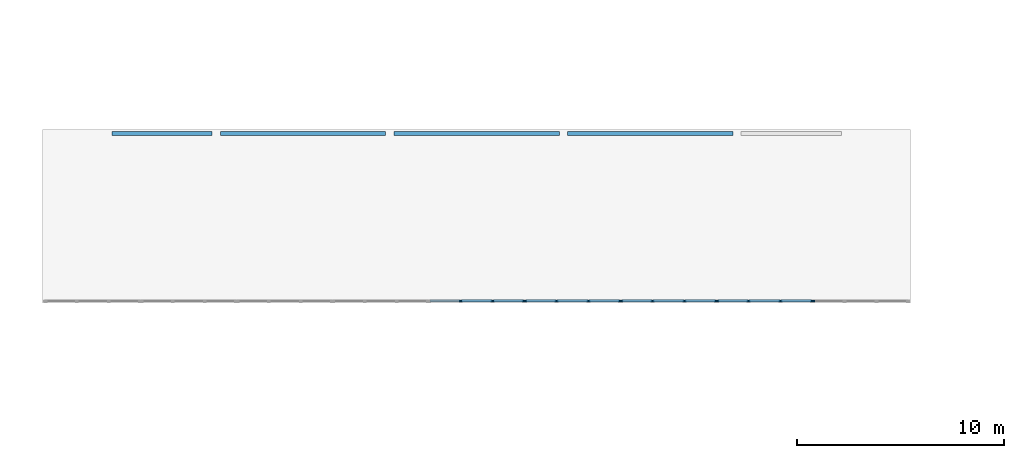
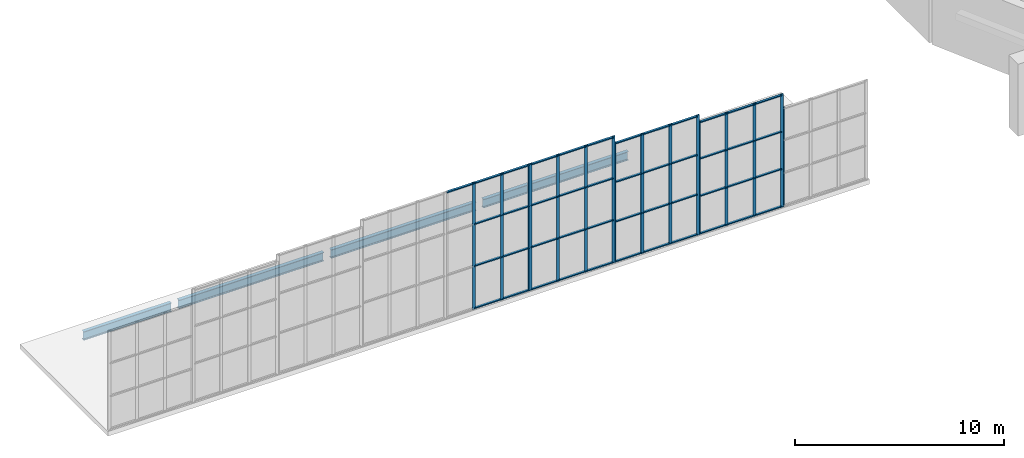
# One storey, part 36 of 100: 61 members, 4 beams, 5 elements without a shape of their own.
"""IFC4 building model written with IfcOpenShell, lengths in metres."""

from ifc_helpers import new_model, si_unit, direction, frame, origin, origin_2d, place, context, subcontext, project, spatial, rectangle, i_section, extrude, material, material_profile, profile_set, type_object, element, aggregate, save


model = new_model("IFC4")

# Units and contexts
model_context = context("Model", 3, precision=1e-05, world=origin(), true_north=direction((0.0, 1.0)))
body_context = subcontext(model_context, "Body", "Model", "MODEL_VIEW")
ifc_project = project(units=[si_unit("LENGTHUNIT", "METRE"), si_unit("AREAUNIT", "SQUARE_METRE"), si_unit("VOLUMEUNIT", "CUBIC_METRE"), si_unit("PLANEANGLEUNIT", "RADIAN"), si_unit("MASSUNIT", "GRAM", prefix="KILO")], contexts=[model_context])

# Site, building, storey
site_placement = place(None, origin())
site = spatial("IfcSite", under=ifc_project, at=site_placement, CompositionType="ELEMENT")
building_placement = place(site_placement, origin())
building = spatial("IfcBuilding", under=site, at=building_placement, Name="Cresset Court Congress Hotel", CompositionType="ELEMENT")
storey_placement = place(building_placement, frame((0.0, 0.0, 10.199951171875)))
storey = spatial("IfcBuildingStorey", under=building, at=storey_placement, Name="L02", CompositionType="ELEMENT", Elevation=10.199951171875)

# Curtain wall, members
ifc_material_1 = material(Name="Aluminium frame with insulated glass", Category="aluminium")
curtain_wall_type = type_object("IfcCurtainWallType", Name="Curtain wall module 1500", PredefinedType="NOTDEFINED", material=ifc_material_1)
curtain_wall_1_placement = place(storey_placement, origin())
curtain_wall_1 = element("IfcCurtainWall", 1, at=curtain_wall_1_placement, inside=storey, type_object=curtain_wall_type, Name="Curtain wall G5", PredefinedType="NOTDEFINED")
ifc_material_2 = material(Name="Aluminium", Category="aluminium")
ifc_material_profile_1 = material_profile(ifc_material_2, rectangle(XDim=0.1201171875, YDim=0.06005859375, at=origin_2d()), Name="AL 120x60")
ifc_profile_set_1 = profile_set([ifc_material_profile_1], Name="Aluminium")
member_type_1 = type_object("IfcMemberType", Name="CW transom RECT 120x60", PredefinedType="USERDEFINED", material=ifc_profile_set_1)
member_1_placement = place(storey_placement, frame((27.1376953125, 100.89990234375, 7.340087890625), z_axis=(1.0, 0.0, 0.0), x_axis=(0.0, 1.0, 0.0)))
member_1 = element("IfcMember", 2, at=member_1_placement, type_object=member_type_1, Name="D-X4 transom 1.4", ObjectType="TRANSOM", PredefinedType="USERDEFINED", context=body_context, shape_type="SweptSolid", body=[
    extrude(rectangle(XDim=0.1201171875, YDim=0.06005859375, at=origin_2d()), origin(), (0.0, 0.0, 1.0), 1.458251953125),
])
member_2_placement = place(storey_placement, frame((28.656005859375, 100.89990234375, 0.06005859375), z_axis=(1.0, 0.0, 0.0), x_axis=(0.0, 1.0, 0.0)))
member_2 = element("IfcMember", 3, at=member_2_placement, type_object=member_type_1, Name="D-X4 transom 2.1", ObjectType="TRANSOM", PredefinedType="USERDEFINED", context=body_context, shape_type="SweptSolid", body=[
    extrude(rectangle(XDim=0.1201171875, YDim=0.06005859375, at=origin_2d()), origin(), (0.0, 0.0, 1.0), 1.488037109375),
])
member_3_placement = place(storey_placement, frame((28.656005859375, 100.89990234375, 2.51611328125), z_axis=(1.0, 0.0, 0.0), x_axis=(0.0, 1.0, 0.0)))
member_3 = element("IfcMember", 4, at=member_3_placement, type_object=member_type_1, Name="D-X4 transom 2.2", ObjectType="TRANSOM", PredefinedType="USERDEFINED", context=body_context, shape_type="SweptSolid", body=[
    extrude(rectangle(XDim=0.1201171875, YDim=0.06005859375, at=origin_2d()), origin(), (0.0, 0.0, 1.0), 1.488037109375),
])
member_4_placement = place(storey_placement, frame((28.656005859375, 100.89990234375, 4.9580078125), z_axis=(1.0, 0.0, 0.0), x_axis=(0.0, 1.0, 0.0)))
member_4 = element("IfcMember", 5, at=member_4_placement, type_object=member_type_1, Name="D-X4 transom 2.3", ObjectType="TRANSOM", PredefinedType="USERDEFINED", context=body_context, shape_type="SweptSolid", body=[
    extrude(rectangle(XDim=0.1201171875, YDim=0.06005859375, at=origin_2d()), origin(), (0.0, 0.0, 1.0), 1.488037109375),
])
member_5_placement = place(storey_placement, frame((28.656005859375, 100.89990234375, 7.340087890625), z_axis=(1.0, 0.0, 0.0), x_axis=(0.0, 1.0, 0.0)))
member_5 = element("IfcMember", 6, at=member_5_placement, type_object=member_type_1, Name="D-X4 transom 2.4", ObjectType="TRANSOM", PredefinedType="USERDEFINED", context=body_context, shape_type="SweptSolid", body=[
    extrude(rectangle(XDim=0.1201171875, YDim=0.06005859375, at=origin_2d()), origin(), (0.0, 0.0, 1.0), 1.488037109375),
])
member_6_placement = place(storey_placement, frame((30.2041015625, 100.89990234375, 0.06005859375), z_axis=(1.0, 0.0, 0.0), x_axis=(0.0, 1.0, 0.0)))
member_6 = element("IfcMember", 7, at=member_6_placement, type_object=member_type_1, Name="D-X4 transom 3.1", ObjectType="TRANSOM", PredefinedType="USERDEFINED", context=body_context, shape_type="SweptSolid", body=[
    extrude(rectangle(XDim=0.1201171875, YDim=0.06005859375, at=origin_2d()), origin(), (0.0, 0.0, 1.0), 1.4580078125),
])
member_7_placement = place(storey_placement, frame((30.2041015625, 100.89990234375, 2.51611328125), z_axis=(1.0, 0.0, 0.0), x_axis=(0.0, 1.0, 0.0)))
member_7 = element("IfcMember", 8, at=member_7_placement, type_object=member_type_1, Name="D-X4 transom 3.2", ObjectType="TRANSOM", PredefinedType="USERDEFINED", context=body_context, shape_type="SweptSolid", body=[
    extrude(rectangle(XDim=0.1201171875, YDim=0.06005859375, at=origin_2d()), origin(), (0.0, 0.0, 1.0), 1.4580078125),
])
member_8_placement = place(storey_placement, frame((30.2041015625, 100.89990234375, 4.9580078125), z_axis=(1.0, 0.0, 0.0), x_axis=(0.0, 1.0, 0.0)))
member_8 = element("IfcMember", 9, at=member_8_placement, type_object=member_type_1, Name="D-X4 transom 3.3", ObjectType="TRANSOM", PredefinedType="USERDEFINED", context=body_context, shape_type="SweptSolid", body=[
    extrude(rectangle(XDim=0.1201171875, YDim=0.06005859375, at=origin_2d()), origin(), (0.0, 0.0, 1.0), 1.4580078125),
])
member_9_placement = place(storey_placement, frame((30.2041015625, 100.89990234375, 7.340087890625), z_axis=(1.0, 0.0, 0.0), x_axis=(0.0, 1.0, 0.0)))
member_9 = element("IfcMember", 10, at=member_9_placement, type_object=member_type_1, Name="D-X4 transom 3.4", ObjectType="TRANSOM", PredefinedType="USERDEFINED", context=body_context, shape_type="SweptSolid", body=[
    extrude(rectangle(XDim=0.1201171875, YDim=0.06005859375, at=origin_2d()), origin(), (0.0, 0.0, 1.0), 1.4580078125),
])

curtain_wall_2_placement = place(storey_placement, origin())
curtain_wall_2 = element("IfcCurtainWall", 11, at=curtain_wall_2_placement, inside=storey, type_object=curtain_wall_type, Name="Curtain wall G6", PredefinedType="NOTDEFINED")
member_10_placement = place(storey_placement, frame((31.7822265625, 100.89990234375, 0.06005859375), z_axis=(1.0, 0.0, 0.0), x_axis=(0.0, 1.0, 0.0)))
member_10 = element("IfcMember", 12, at=member_10_placement, type_object=member_type_1, Name="D-X4 transom 1.1", ObjectType="TRANSOM", PredefinedType="USERDEFINED", context=body_context, shape_type="SweptSolid", body=[
    extrude(rectangle(XDim=0.1201171875, YDim=0.06005859375, at=origin_2d()), origin(), (0.0, 0.0, 1.0), 1.458251953125),
])
member_11_placement = place(storey_placement, frame((31.7822265625, 100.89990234375, 2.51611328125), z_axis=(1.0, 0.0, 0.0), x_axis=(0.0, 1.0, 0.0)))
member_11 = element("IfcMember", 13, at=member_11_placement, type_object=member_type_1, Name="D-X4 transom 1.2", ObjectType="TRANSOM", PredefinedType="USERDEFINED", context=body_context, shape_type="SweptSolid", body=[
    extrude(rectangle(XDim=0.1201171875, YDim=0.06005859375, at=origin_2d()), origin(), (0.0, 0.0, 1.0), 1.458251953125),
])
member_12_placement = place(storey_placement, frame((31.7822265625, 100.89990234375, 4.9580078125), z_axis=(1.0, 0.0, 0.0), x_axis=(0.0, 1.0, 0.0)))
member_12 = element("IfcMember", 14, at=member_12_placement, type_object=member_type_1, Name="D-X4 transom 1.3", ObjectType="TRANSOM", PredefinedType="USERDEFINED", context=body_context, shape_type="SweptSolid", body=[
    extrude(rectangle(XDim=0.1201171875, YDim=0.06005859375, at=origin_2d()), origin(), (0.0, 0.0, 1.0), 1.458251953125),
])
member_13_placement = place(storey_placement, frame((31.7822265625, 100.89990234375, 7.340087890625), z_axis=(1.0, 0.0, 0.0), x_axis=(0.0, 1.0, 0.0)))
member_13 = element("IfcMember", 15, at=member_13_placement, type_object=member_type_1, Name="D-X4 transom 1.4", ObjectType="TRANSOM", PredefinedType="USERDEFINED", context=body_context, shape_type="SweptSolid", body=[
    extrude(rectangle(XDim=0.1201171875, YDim=0.06005859375, at=origin_2d()), origin(), (0.0, 0.0, 1.0), 1.458251953125),
])
member_14_placement = place(storey_placement, frame((33.30029296875, 100.89990234375, 0.06005859375), z_axis=(1.0, 0.0, 0.0), x_axis=(0.0, 1.0, 0.0)))
member_14 = element("IfcMember", 16, at=member_14_placement, type_object=member_type_1, Name="D-X4 transom 2.1", ObjectType="TRANSOM", PredefinedType="USERDEFINED", context=body_context, shape_type="SweptSolid", body=[
    extrude(rectangle(XDim=0.1201171875, YDim=0.06005859375, at=origin_2d()), origin(), (0.0, 0.0, 1.0), 1.48828125),
])
member_15_placement = place(storey_placement, frame((33.30029296875, 100.89990234375, 2.51611328125), z_axis=(1.0, 0.0, 0.0), x_axis=(0.0, 1.0, 0.0)))
member_15 = element("IfcMember", 17, at=member_15_placement, type_object=member_type_1, Name="D-X4 transom 2.2", ObjectType="TRANSOM", PredefinedType="USERDEFINED", context=body_context, shape_type="SweptSolid", body=[
    extrude(rectangle(XDim=0.1201171875, YDim=0.06005859375, at=origin_2d()), origin(), (0.0, 0.0, 1.0), 1.48828125),
])
member_16_placement = place(storey_placement, frame((33.30029296875, 100.89990234375, 4.9580078125), z_axis=(1.0, 0.0, 0.0), x_axis=(0.0, 1.0, 0.0)))
member_16 = element("IfcMember", 18, at=member_16_placement, type_object=member_type_1, Name="D-X4 transom 2.3", ObjectType="TRANSOM", PredefinedType="USERDEFINED", context=body_context, shape_type="SweptSolid", body=[
    extrude(rectangle(XDim=0.1201171875, YDim=0.06005859375, at=origin_2d()), origin(), (0.0, 0.0, 1.0), 1.48828125),
])
member_17_placement = place(storey_placement, frame((33.30029296875, 100.89990234375, 7.340087890625), z_axis=(1.0, 0.0, 0.0), x_axis=(0.0, 1.0, 0.0)))
member_17 = element("IfcMember", 19, at=member_17_placement, type_object=member_type_1, Name="D-X4 transom 2.4", ObjectType="TRANSOM", PredefinedType="USERDEFINED", context=body_context, shape_type="SweptSolid", body=[
    extrude(rectangle(XDim=0.1201171875, YDim=0.06005859375, at=origin_2d()), origin(), (0.0, 0.0, 1.0), 1.48828125),
])
member_18_placement = place(storey_placement, frame((34.8486328125, 100.89990234375, 0.06005859375), z_axis=(1.0, 0.0, 0.0), x_axis=(0.0, 1.0, 0.0)))
member_18 = element("IfcMember", 20, at=member_18_placement, type_object=member_type_1, Name="D-X4 transom 3.1", ObjectType="TRANSOM", PredefinedType="USERDEFINED", context=body_context, shape_type="SweptSolid", body=[
    extrude(rectangle(XDim=0.1201171875, YDim=0.06005859375, at=origin_2d()), origin(), (0.0, 0.0, 1.0), 1.4580078125),
])
member_19_placement = place(storey_placement, frame((34.8486328125, 100.89990234375, 2.51611328125), z_axis=(1.0, 0.0, 0.0), x_axis=(0.0, 1.0, 0.0)))
member_19 = element("IfcMember", 21, at=member_19_placement, type_object=member_type_1, Name="D-X4 transom 3.2", ObjectType="TRANSOM", PredefinedType="USERDEFINED", context=body_context, shape_type="SweptSolid", body=[
    extrude(rectangle(XDim=0.1201171875, YDim=0.06005859375, at=origin_2d()), origin(), (0.0, 0.0, 1.0), 1.4580078125),
])
member_20_placement = place(storey_placement, frame((34.8486328125, 100.89990234375, 4.9580078125), z_axis=(1.0, 0.0, 0.0), x_axis=(0.0, 1.0, 0.0)))
member_20 = element("IfcMember", 22, at=member_20_placement, type_object=member_type_1, Name="D-X4 transom 3.3", ObjectType="TRANSOM", PredefinedType="USERDEFINED", context=body_context, shape_type="SweptSolid", body=[
    extrude(rectangle(XDim=0.1201171875, YDim=0.06005859375, at=origin_2d()), origin(), (0.0, 0.0, 1.0), 1.4580078125),
])
member_21_placement = place(storey_placement, frame((34.8486328125, 100.89990234375, 7.340087890625), z_axis=(1.0, 0.0, 0.0), x_axis=(0.0, 1.0, 0.0)))
member_21 = element("IfcMember", 23, at=member_21_placement, type_object=member_type_1, Name="D-X4 transom 3.4", ObjectType="TRANSOM", PredefinedType="USERDEFINED", context=body_context, shape_type="SweptSolid", body=[
    extrude(rectangle(XDim=0.1201171875, YDim=0.06005859375, at=origin_2d()), origin(), (0.0, 0.0, 1.0), 1.4580078125),
])

curtain_wall_3_placement = place(storey_placement, origin())
curtain_wall_3 = element("IfcCurtainWall", 24, at=curtain_wall_3_placement, inside=storey, type_object=curtain_wall_type, Name="Curtain wall G7", PredefinedType="NOTDEFINED")
member_22_placement = place(storey_placement, frame((36.4267578125, 100.89990234375, 0.06005859375), z_axis=(1.0, 0.0, 0.0), x_axis=(0.0, 1.0, 0.0)))
member_22 = element("IfcMember", 25, at=member_22_placement, type_object=member_type_1, Name="D-X4 transom 1.1", ObjectType="TRANSOM", PredefinedType="USERDEFINED", context=body_context, shape_type="SweptSolid", body=[
    extrude(rectangle(XDim=0.1201171875, YDim=0.06005859375, at=origin_2d()), origin(), (0.0, 0.0, 1.0), 1.4580078125),
])
member_23_placement = place(storey_placement, frame((36.4267578125, 100.89990234375, 2.380126953125), z_axis=(1.0, 0.0, 0.0), x_axis=(0.0, 1.0, 0.0)))
member_23 = element("IfcMember", 26, at=member_23_placement, type_object=member_type_1, Name="D-X4 transom 1.2", ObjectType="TRANSOM", PredefinedType="USERDEFINED", context=body_context, shape_type="SweptSolid", body=[
    extrude(rectangle(XDim=0.1201171875, YDim=0.06005859375, at=origin_2d()), origin(), (0.0, 0.0, 1.0), 1.4580078125),
])
member_24_placement = place(storey_placement, frame((36.4267578125, 100.89990234375, 4.68994140625), z_axis=(1.0, 0.0, 0.0), x_axis=(0.0, 1.0, 0.0)))
member_24 = element("IfcMember", 27, at=member_24_placement, type_object=member_type_1, Name="D-X4 transom 1.3", ObjectType="TRANSOM", PredefinedType="USERDEFINED", context=body_context, shape_type="SweptSolid", body=[
    extrude(rectangle(XDim=0.1201171875, YDim=0.06005859375, at=origin_2d()), origin(), (0.0, 0.0, 1.0), 1.4580078125),
])
member_25_placement = place(storey_placement, frame((36.4267578125, 100.89990234375, 6.93994140625), z_axis=(1.0, 0.0, 0.0), x_axis=(0.0, 1.0, 0.0)))
member_25 = element("IfcMember", 28, at=member_25_placement, type_object=member_type_1, Name="D-X4 transom 1.4", ObjectType="TRANSOM", PredefinedType="USERDEFINED", context=body_context, shape_type="SweptSolid", body=[
    extrude(rectangle(XDim=0.1201171875, YDim=0.06005859375, at=origin_2d()), origin(), (0.0, 0.0, 1.0), 1.4580078125),
])
member_26_placement = place(storey_placement, frame((37.94482421875, 100.89990234375, 0.06005859375), z_axis=(1.0, 0.0, 0.0), x_axis=(0.0, 1.0, 0.0)))
member_26 = element("IfcMember", 29, at=member_26_placement, type_object=member_type_1, Name="D-X4 transom 2.1", ObjectType="TRANSOM", PredefinedType="USERDEFINED", context=body_context, shape_type="SweptSolid", body=[
    extrude(rectangle(XDim=0.1201171875, YDim=0.06005859375, at=origin_2d()), origin(), (0.0, 0.0, 1.0), 1.488037109375),
])
member_27_placement = place(storey_placement, frame((37.94482421875, 100.89990234375, 2.380126953125), z_axis=(1.0, 0.0, 0.0), x_axis=(0.0, 1.0, 0.0)))
member_27 = element("IfcMember", 30, at=member_27_placement, type_object=member_type_1, Name="D-X4 transom 2.2", ObjectType="TRANSOM", PredefinedType="USERDEFINED", context=body_context, shape_type="SweptSolid", body=[
    extrude(rectangle(XDim=0.1201171875, YDim=0.06005859375, at=origin_2d()), origin(), (0.0, 0.0, 1.0), 1.488037109375),
])
member_28_placement = place(storey_placement, frame((37.94482421875, 100.89990234375, 4.68994140625), z_axis=(1.0, 0.0, 0.0), x_axis=(0.0, 1.0, 0.0)))
member_28 = element("IfcMember", 31, at=member_28_placement, type_object=member_type_1, Name="D-X4 transom 2.3", ObjectType="TRANSOM", PredefinedType="USERDEFINED", context=body_context, shape_type="SweptSolid", body=[
    extrude(rectangle(XDim=0.1201171875, YDim=0.06005859375, at=origin_2d()), origin(), (0.0, 0.0, 1.0), 1.488037109375),
])
member_29_placement = place(storey_placement, frame((37.94482421875, 100.89990234375, 6.93994140625), z_axis=(1.0, 0.0, 0.0), x_axis=(0.0, 1.0, 0.0)))
member_29 = element("IfcMember", 32, at=member_29_placement, type_object=member_type_1, Name="D-X4 transom 2.4", ObjectType="TRANSOM", PredefinedType="USERDEFINED", context=body_context, shape_type="SweptSolid", body=[
    extrude(rectangle(XDim=0.1201171875, YDim=0.06005859375, at=origin_2d()), origin(), (0.0, 0.0, 1.0), 1.488037109375),
])
member_30_placement = place(storey_placement, frame((39.492919921875, 100.89990234375, 0.06005859375), z_axis=(1.0, 0.0, 0.0), x_axis=(0.0, 1.0, 0.0)))
member_30 = element("IfcMember", 33, at=member_30_placement, type_object=member_type_1, Name="D-X4 transom 3.1", ObjectType="TRANSOM", PredefinedType="USERDEFINED", context=body_context, shape_type="SweptSolid", body=[
    extrude(rectangle(XDim=0.1201171875, YDim=0.06005859375, at=origin_2d()), origin(), (0.0, 0.0, 1.0), 1.458251953125),
])
member_31_placement = place(storey_placement, frame((39.492919921875, 100.89990234375, 2.380126953125), z_axis=(1.0, 0.0, 0.0), x_axis=(0.0, 1.0, 0.0)))
member_31 = element("IfcMember", 34, at=member_31_placement, type_object=member_type_1, Name="D-X4 transom 3.2", ObjectType="TRANSOM", PredefinedType="USERDEFINED", context=body_context, shape_type="SweptSolid", body=[
    extrude(rectangle(XDim=0.1201171875, YDim=0.06005859375, at=origin_2d()), origin(), (0.0, 0.0, 1.0), 1.458251953125),
])
member_32_placement = place(storey_placement, frame((39.492919921875, 100.89990234375, 4.68994140625), z_axis=(1.0, 0.0, 0.0), x_axis=(0.0, 1.0, 0.0)))
member_32 = element("IfcMember", 35, at=member_32_placement, type_object=member_type_1, Name="D-X4 transom 3.3", ObjectType="TRANSOM", PredefinedType="USERDEFINED", context=body_context, shape_type="SweptSolid", body=[
    extrude(rectangle(XDim=0.1201171875, YDim=0.06005859375, at=origin_2d()), origin(), (0.0, 0.0, 1.0), 1.458251953125),
])
member_33_placement = place(storey_placement, frame((39.492919921875, 100.89990234375, 6.93994140625), z_axis=(1.0, 0.0, 0.0), x_axis=(0.0, 1.0, 0.0)))
member_33 = element("IfcMember", 36, at=member_33_placement, type_object=member_type_1, Name="D-X4 transom 3.4", ObjectType="TRANSOM", PredefinedType="USERDEFINED", context=body_context, shape_type="SweptSolid", body=[
    extrude(rectangle(XDim=0.1201171875, YDim=0.06005859375, at=origin_2d()), origin(), (0.0, 0.0, 1.0), 1.458251953125),
])

curtain_wall_4_placement = place(storey_placement, origin())
curtain_wall_4 = element("IfcCurtainWall", 37, at=curtain_wall_4_placement, inside=storey, type_object=curtain_wall_type, Name="Curtain wall G8", PredefinedType="NOTDEFINED")
member_34_placement = place(storey_placement, frame((41.071044921875, 100.89990234375, 0.06005859375), z_axis=(1.0, 0.0, 0.0), x_axis=(0.0, 1.0, 0.0)))
member_34 = element("IfcMember", 38, at=member_34_placement, type_object=member_type_1, Name="D-X4 transom 1.1", ObjectType="TRANSOM", PredefinedType="USERDEFINED", context=body_context, shape_type="SweptSolid", body=[
    extrude(rectangle(XDim=0.1201171875, YDim=0.06005859375, at=origin_2d()), origin(), (0.0, 0.0, 1.0), 1.458251953125),
])
member_35_placement = place(storey_placement, frame((41.071044921875, 100.89990234375, 2.244140625), z_axis=(1.0, 0.0, 0.0), x_axis=(0.0, 1.0, 0.0)))
member_35 = element("IfcMember", 39, at=member_35_placement, type_object=member_type_1, Name="D-X4 transom 1.2", ObjectType="TRANSOM", PredefinedType="USERDEFINED", context=body_context, shape_type="SweptSolid", body=[
    extrude(rectangle(XDim=0.1201171875, YDim=0.06005859375, at=origin_2d()), origin(), (0.0, 0.0, 1.0), 1.458251953125),
])
member_36_placement = place(storey_placement, frame((41.071044921875, 100.89990234375, 4.422119140625), z_axis=(1.0, 0.0, 0.0), x_axis=(0.0, 1.0, 0.0)))
member_36 = element("IfcMember", 40, at=member_36_placement, type_object=member_type_1, Name="D-X4 transom 1.3", ObjectType="TRANSOM", PredefinedType="USERDEFINED", context=body_context, shape_type="SweptSolid", body=[
    extrude(rectangle(XDim=0.1201171875, YDim=0.06005859375, at=origin_2d()), origin(), (0.0, 0.0, 1.0), 1.458251953125),
])
member_37_placement = place(storey_placement, frame((41.071044921875, 100.89990234375, 6.5400390625), z_axis=(1.0, 0.0, 0.0), x_axis=(0.0, 1.0, 0.0)))
member_37 = element("IfcMember", 41, at=member_37_placement, type_object=member_type_1, Name="D-X4 transom 1.4", ObjectType="TRANSOM", PredefinedType="USERDEFINED", context=body_context, shape_type="SweptSolid", body=[
    extrude(rectangle(XDim=0.1201171875, YDim=0.06005859375, at=origin_2d()), origin(), (0.0, 0.0, 1.0), 1.458251953125),
])
member_38_placement = place(storey_placement, frame((42.58935546875, 100.89990234375, 0.06005859375), z_axis=(1.0, 0.0, 0.0), x_axis=(0.0, 1.0, 0.0)))
member_38 = element("IfcMember", 42, at=member_38_placement, type_object=member_type_1, Name="D-X4 transom 2.1", ObjectType="TRANSOM", PredefinedType="USERDEFINED", context=body_context, shape_type="SweptSolid", body=[
    extrude(rectangle(XDim=0.1201171875, YDim=0.06005859375, at=origin_2d()), origin(), (0.0, 0.0, 1.0), 1.488037109375),
])
member_39_placement = place(storey_placement, frame((42.58935546875, 100.89990234375, 2.244140625), z_axis=(1.0, 0.0, 0.0), x_axis=(0.0, 1.0, 0.0)))
member_39 = element("IfcMember", 43, at=member_39_placement, type_object=member_type_1, Name="D-X4 transom 2.2", ObjectType="TRANSOM", PredefinedType="USERDEFINED", context=body_context, shape_type="SweptSolid", body=[
    extrude(rectangle(XDim=0.1201171875, YDim=0.06005859375, at=origin_2d()), origin(), (0.0, 0.0, 1.0), 1.488037109375),
])
member_40_placement = place(storey_placement, frame((42.58935546875, 100.89990234375, 4.422119140625), z_axis=(1.0, 0.0, 0.0), x_axis=(0.0, 1.0, 0.0)))
member_40 = element("IfcMember", 44, at=member_40_placement, type_object=member_type_1, Name="D-X4 transom 2.3", ObjectType="TRANSOM", PredefinedType="USERDEFINED", context=body_context, shape_type="SweptSolid", body=[
    extrude(rectangle(XDim=0.1201171875, YDim=0.06005859375, at=origin_2d()), origin(), (0.0, 0.0, 1.0), 1.488037109375),
])
member_41_placement = place(storey_placement, frame((42.58935546875, 100.89990234375, 6.5400390625), z_axis=(1.0, 0.0, 0.0), x_axis=(0.0, 1.0, 0.0)))
member_41 = element("IfcMember", 45, at=member_41_placement, type_object=member_type_1, Name="D-X4 transom 2.4", ObjectType="TRANSOM", PredefinedType="USERDEFINED", context=body_context, shape_type="SweptSolid", body=[
    extrude(rectangle(XDim=0.1201171875, YDim=0.06005859375, at=origin_2d()), origin(), (0.0, 0.0, 1.0), 1.488037109375),
])
member_42_placement = place(storey_placement, frame((44.137451171875, 100.89990234375, 0.06005859375), z_axis=(1.0, 0.0, 0.0), x_axis=(0.0, 1.0, 0.0)))
member_42 = element("IfcMember", 46, at=member_42_placement, type_object=member_type_1, Name="D-X4 transom 3.1", ObjectType="TRANSOM", PredefinedType="USERDEFINED", context=body_context, shape_type="SweptSolid", body=[
    extrude(rectangle(XDim=0.1201171875, YDim=0.06005859375, at=origin_2d()), origin(), (0.0, 0.0, 1.0), 1.458251953125),
])
member_43_placement = place(storey_placement, frame((44.137451171875, 100.89990234375, 2.244140625), z_axis=(1.0, 0.0, 0.0), x_axis=(0.0, 1.0, 0.0)))
member_43 = element("IfcMember", 47, at=member_43_placement, type_object=member_type_1, Name="D-X4 transom 3.2", ObjectType="TRANSOM", PredefinedType="USERDEFINED", context=body_context, shape_type="SweptSolid", body=[
    extrude(rectangle(XDim=0.1201171875, YDim=0.06005859375, at=origin_2d()), origin(), (0.0, 0.0, 1.0), 1.458251953125),
])
member_44_placement = place(storey_placement, frame((44.137451171875, 100.89990234375, 4.422119140625), z_axis=(1.0, 0.0, 0.0), x_axis=(0.0, 1.0, 0.0)))
member_44 = element("IfcMember", 48, at=member_44_placement, type_object=member_type_1, Name="D-X4 transom 3.3", ObjectType="TRANSOM", PredefinedType="USERDEFINED", context=body_context, shape_type="SweptSolid", body=[
    extrude(rectangle(XDim=0.1201171875, YDim=0.06005859375, at=origin_2d()), origin(), (0.0, 0.0, 1.0), 1.458251953125),
])
member_45_placement = place(storey_placement, frame((44.137451171875, 100.89990234375, 6.5400390625), z_axis=(1.0, 0.0, 0.0), x_axis=(0.0, 1.0, 0.0)))
member_45 = element("IfcMember", 49, at=member_45_placement, type_object=member_type_1, Name="D-X4 transom 3.4", ObjectType="TRANSOM", PredefinedType="USERDEFINED", context=body_context, shape_type="SweptSolid", body=[
    extrude(rectangle(XDim=0.1201171875, YDim=0.06005859375, at=origin_2d()), origin(), (0.0, 0.0, 1.0), 1.458251953125),
])

# Member
ifc_material_3 = material(Name="Anodised aluminium", Category="aluminium")
ifc_material_profile_2 = material_profile(ifc_material_3, rectangle(XDim=0.06005859375, YDim=0.159912109375, at=origin_2d()), Name="AL60x160")
ifc_profile_set_2 = profile_set([ifc_material_profile_2], Name="Anodised aluminium")
member_type_2 = type_object("IfcMemberType", Name="Curtain wall mullion 60x160", PredefinedType="MULLION", material=ifc_profile_set_2)
member_46_placement = place(storey_placement, frame((28.6259765625, 100.89990234375, 0.0), z_axis=(0.0, 0.0, 1.0), x_axis=(0.0, 1.0, 0.0)))
member_46 = element("IfcMember", 50, at=member_46_placement, type_object=member_type_2, Name="D-X4 mullion 2", PredefinedType="MULLION", context=body_context, shape_type="SweptSolid", body=[
    extrude(rectangle(XDim=0.06005859375, YDim=0.159912109375, at=origin_2d()), origin(), (0.0, 0.0, 1.0), 7.400146484375),
])

member_47_placement = place(storey_placement, frame((30.174072265625, 100.89990234375, 0.0), z_axis=(0.0, 0.0, 1.0), x_axis=(0.0, 1.0, 0.0)))
member_47 = element("IfcMember", 51, at=member_47_placement, type_object=member_type_2, Name="D-X4 mullion 3", PredefinedType="MULLION", context=body_context, shape_type="SweptSolid", body=[
    extrude(rectangle(XDim=0.06005859375, YDim=0.159912109375, at=origin_2d()), origin(), (0.0, 0.0, 1.0), 7.400146484375),
])

member_48_placement = place(storey_placement, frame((31.692138671875, 100.89990234375, 0.0), z_axis=(0.0, 0.0, 1.0), x_axis=(0.0, 1.0, 0.0)))
member_48 = element("IfcMember", 52, at=member_48_placement, type_object=member_type_2, Name="D-X4 mullion 4", PredefinedType="MULLION", context=body_context, shape_type="SweptSolid", body=[
    extrude(rectangle(XDim=0.06005859375, YDim=0.159912109375, at=origin_2d()), origin(), (0.0, 0.0, 1.0), 7.400146484375),
])

aggregate(curtain_wall_1, [member_46, member_47, member_48, member_1, member_2, member_3, member_4, member_5, member_6, member_7, member_8, member_9])

member_49_placement = place(storey_placement, frame((31.752197265625, 100.89990234375, 0.0), z_axis=(0.0, 0.0, 1.0), x_axis=(0.0, 1.0, 0.0)))
member_49 = element("IfcMember", 53, at=member_49_placement, type_object=member_type_2, Name="D-X4 mullion 1", PredefinedType="MULLION", context=body_context, shape_type="SweptSolid", body=[
    extrude(rectangle(XDim=0.06005859375, YDim=0.159912109375, at=origin_2d()), origin(), (0.0, 0.0, 1.0), 7.400146484375),
])

member_50_placement = place(storey_placement, frame((33.270263671875, 100.89990234375, 0.0), z_axis=(0.0, 0.0, 1.0), x_axis=(0.0, 1.0, 0.0)))
member_50 = element("IfcMember", 54, at=member_50_placement, type_object=member_type_2, Name="D-X4 mullion 2", PredefinedType="MULLION", context=body_context, shape_type="SweptSolid", body=[
    extrude(rectangle(XDim=0.06005859375, YDim=0.159912109375, at=origin_2d()), origin(), (0.0, 0.0, 1.0), 7.400146484375),
])

member_51_placement = place(storey_placement, frame((34.818603515625, 100.89990234375, 0.0), z_axis=(0.0, 0.0, 1.0), x_axis=(0.0, 1.0, 0.0)))
member_51 = element("IfcMember", 55, at=member_51_placement, type_object=member_type_2, Name="D-X4 mullion 3", PredefinedType="MULLION", context=body_context, shape_type="SweptSolid", body=[
    extrude(rectangle(XDim=0.06005859375, YDim=0.159912109375, at=origin_2d()), origin(), (0.0, 0.0, 1.0), 7.400146484375),
])

member_52_placement = place(storey_placement, frame((36.336669921875, 100.89990234375, 0.0), z_axis=(0.0, 0.0, 1.0), x_axis=(0.0, 1.0, 0.0)))
member_52 = element("IfcMember", 56, at=member_52_placement, type_object=member_type_2, Name="D-X4 mullion 4", PredefinedType="MULLION", context=body_context, shape_type="SweptSolid", body=[
    extrude(rectangle(XDim=0.06005859375, YDim=0.159912109375, at=origin_2d()), origin(), (0.0, 0.0, 1.0), 7.400146484375),
])

aggregate(curtain_wall_2, [member_49, member_50, member_51, member_52, member_10, member_11, member_12, member_13, member_14, member_15, member_16, member_17, member_18, member_19, member_20, member_21])

member_53_placement = place(storey_placement, frame((36.396728515625, 100.89990234375, 0.0), z_axis=(0.0, 0.0, 1.0), x_axis=(0.0, 1.0, 0.0)))
member_53 = element("IfcMember", 57, at=member_53_placement, type_object=member_type_2, Name="D-X4 mullion 1", PredefinedType="MULLION", context=body_context, shape_type="SweptSolid", body=[
    extrude(rectangle(XDim=0.06005859375, YDim=0.159912109375, at=origin_2d()), origin(), (0.0, 0.0, 1.0), 7.0),
])

member_54_placement = place(storey_placement, frame((37.914794921875, 100.89990234375, 0.0), z_axis=(0.0, 0.0, 1.0), x_axis=(0.0, 1.0, 0.0)))
member_54 = element("IfcMember", 58, at=member_54_placement, type_object=member_type_2, Name="D-X4 mullion 2", PredefinedType="MULLION", context=body_context, shape_type="SweptSolid", body=[
    extrude(rectangle(XDim=0.06005859375, YDim=0.159912109375, at=origin_2d()), origin(), (0.0, 0.0, 1.0), 7.0),
])

member_55_placement = place(storey_placement, frame((39.462890625, 100.89990234375, 0.0), z_axis=(0.0, 0.0, 1.0), x_axis=(0.0, 1.0, 0.0)))
member_55 = element("IfcMember", 59, at=member_55_placement, type_object=member_type_2, Name="D-X4 mullion 3", PredefinedType="MULLION", context=body_context, shape_type="SweptSolid", body=[
    extrude(rectangle(XDim=0.06005859375, YDim=0.159912109375, at=origin_2d()), origin(), (0.0, 0.0, 1.0), 7.0),
])

member_56_placement = place(storey_placement, frame((40.981201171875, 100.89990234375, 0.0), z_axis=(0.0, 0.0, 1.0), x_axis=(0.0, 1.0, 0.0)))
member_56 = element("IfcMember", 60, at=member_56_placement, type_object=member_type_2, Name="D-X4 mullion 4", PredefinedType="MULLION", context=body_context, shape_type="SweptSolid", body=[
    extrude(rectangle(XDim=0.06005859375, YDim=0.159912109375, at=origin_2d()), origin(), (0.0, 0.0, 1.0), 7.0),
])

aggregate(curtain_wall_3, [member_53, member_54, member_55, member_56, member_22, member_23, member_24, member_25, member_26, member_27, member_28, member_29, member_30, member_31, member_32, member_33])

member_57_placement = place(storey_placement, frame((41.041015625, 100.89990234375, 0.0), z_axis=(0.0, 0.0, 1.0), x_axis=(0.0, 1.0, 0.0)))
member_57 = element("IfcMember", 61, at=member_57_placement, type_object=member_type_2, Name="D-X4 mullion 1", PredefinedType="MULLION", context=body_context, shape_type="SweptSolid", body=[
    extrude(rectangle(XDim=0.06005859375, YDim=0.159912109375, at=origin_2d()), origin(), (0.0, 0.0, 1.0), 6.60009765625),
])

member_58_placement = place(storey_placement, frame((42.559326171875, 100.89990234375, 0.0), z_axis=(0.0, 0.0, 1.0), x_axis=(0.0, 1.0, 0.0)))
member_58 = element("IfcMember", 62, at=member_58_placement, type_object=member_type_2, Name="D-X4 mullion 2", PredefinedType="MULLION", context=body_context, shape_type="SweptSolid", body=[
    extrude(rectangle(XDim=0.06005859375, YDim=0.159912109375, at=origin_2d()), origin(), (0.0, 0.0, 1.0), 6.60009765625),
])

member_59_placement = place(storey_placement, frame((44.107421875, 100.89990234375, 0.0), z_axis=(0.0, 0.0, 1.0), x_axis=(0.0, 1.0, 0.0)))
member_59 = element("IfcMember", 63, at=member_59_placement, type_object=member_type_2, Name="D-X4 mullion 3", PredefinedType="MULLION", context=body_context, shape_type="SweptSolid", body=[
    extrude(rectangle(XDim=0.06005859375, YDim=0.159912109375, at=origin_2d()), origin(), (0.0, 0.0, 1.0), 6.60009765625),
])

member_60_placement = place(storey_placement, frame((45.62548828125, 100.89990234375, 0.0), z_axis=(0.0, 0.0, 1.0), x_axis=(0.0, 1.0, 0.0)))
member_60 = element("IfcMember", 64, at=member_60_placement, type_object=member_type_2, Name="D-X4 mullion 4", PredefinedType="MULLION", context=body_context, shape_type="SweptSolid", body=[
    extrude(rectangle(XDim=0.06005859375, YDim=0.159912109375, at=origin_2d()), origin(), (0.0, 0.0, 1.0), 6.60009765625),
])

aggregate(curtain_wall_4, [member_57, member_58, member_59, member_60, member_34, member_35, member_36, member_37, member_38, member_39, member_40, member_41, member_42, member_43, member_44, member_45])

# Curtain wall, member
curtain_wall_5_placement = place(storey_placement, origin())
curtain_wall_5 = element("IfcCurtainWall", 65, at=curtain_wall_5_placement, inside=storey, type_object=curtain_wall_type, Name="Curtain wall G9", PredefinedType="NOTDEFINED")
member_61_placement = place(storey_placement, frame((45.685546875, 100.89990234375, 0.0), z_axis=(0.0, 0.0, 1.0), x_axis=(0.0, 1.0, 0.0)))
member_61 = element("IfcMember", 66, at=member_61_placement, type_object=member_type_2, Name="D-X4 mullion 1", PredefinedType="MULLION", context=body_context, shape_type="SweptSolid", body=[
    extrude(rectangle(XDim=0.06005859375, YDim=0.159912109375, at=origin_2d()), origin(), (0.0, 0.0, 1.0), 5.800048828125),
])
aggregate(curtain_wall_5, [member_61])

# Beams
ifc_material_4 = material(Name="Structural steel Q355B", Category="steel")
ifc_material_profile_3 = material_profile(ifc_material_4, i_section(OverallWidth=0.199951171875, OverallDepth=0.5, WebThickness=0.010009765625, FlangeThickness=0.01611328125, FilletRadius=0.012939453125, at=origin_2d()), Name="HN500x200x10x16")
ifc_profile_set_3 = profile_set([ifc_material_profile_3], Name="Structural steel Q355B")
beam_type = type_object("IfcBeamType", Name="Steel edge beam HN500x200x10x16 external", PredefinedType="BEAM", material=ifc_profile_set_3)
beam_placement = place(storey_placement, frame((11.75, 109.0, -0.530029296875), z_axis=(1.0, 0.0, 0.0), x_axis=(0.0, 1.0, 0.0)))
element("IfcBeam", 67, at=beam_placement, inside=storey, type_object=beam_type, Name="North edge beam L01 1", PredefinedType="BEAM", context=body_context, shape_type="SweptSolid", body=[
    extrude(i_section(OverallWidth=0.199951171875, OverallDepth=0.5, WebThickness=0.010009765625, FlangeThickness=0.01611328125, FilletRadius=0.012939453125, at=origin_2d()), origin(), (0.0, 0.0, 1.0), 4.85009765625),
])
for number, where, z_axis, x_axis, name in (
    (68, (17.0, 109.0, -0.530029296875), (1.0, 0.0, 0.0), (0.0, 1.0, 0.0), "North edge beam L01 2"),
    (69, (25.39990234375, 109.0, -0.530029296875), (1.0, 0.0, 0.0), (0.0, 1.0, 0.0), "North edge beam L01 3"),
    (70, (33.800048828125, 109.0, -0.530029296875), (1.0, 0.0, 0.0), (0.0, 1.0, 0.0), "North edge beam L01 4"),
):
    element("IfcBeam", number, at=place(storey_placement, frame(where, z_axis=z_axis, x_axis=x_axis)), inside=storey, type_object=beam_type, Name=name, PredefinedType="BEAM", context=body_context, shape_type="SweptSolid", body=[
        extrude(i_section(OverallWidth=0.199951171875, OverallDepth=0.5, WebThickness=0.010009765625, FlangeThickness=0.01611328125, FilletRadius=0.012939453125, at=origin_2d()), origin(), (0.0, 0.0, 1.0), 8.0),
    ])

save(model, "model.ifc")
